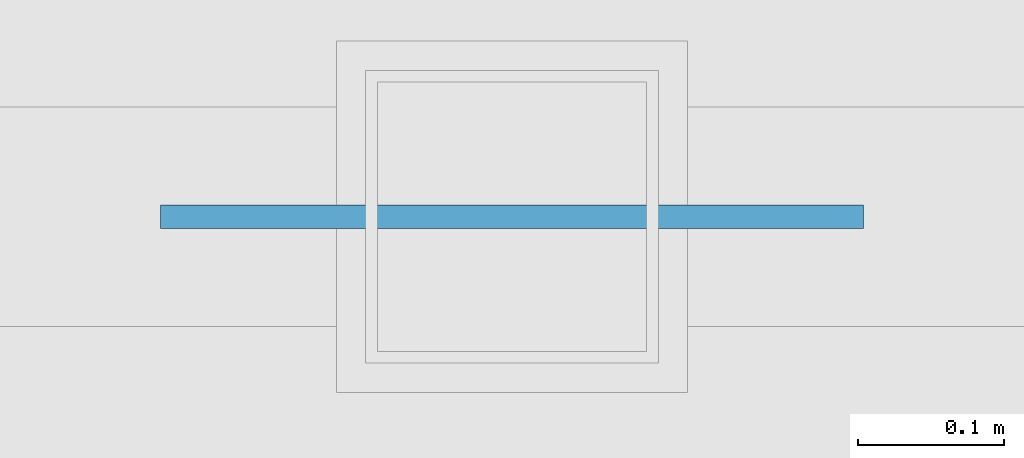
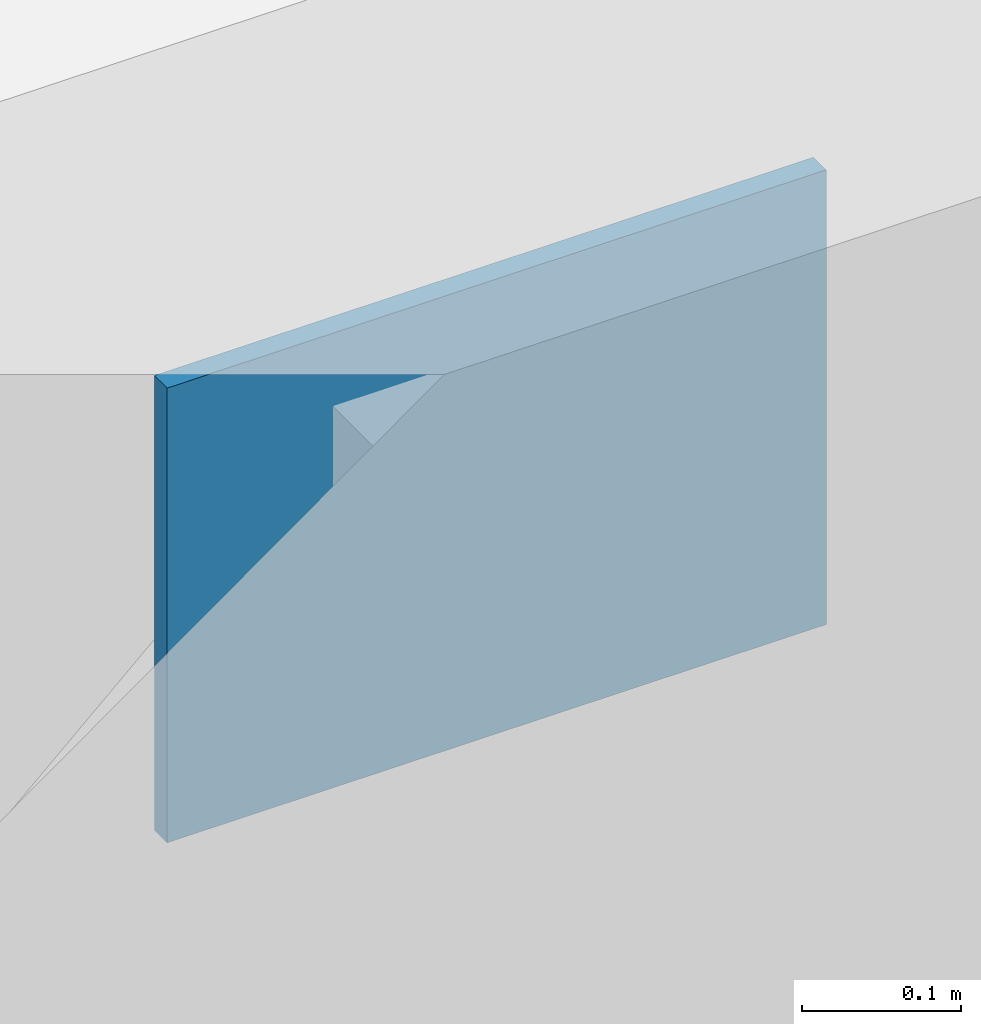
# One storey, part 159 of 195: 1 plate.
"""IFC4 building model written with IfcOpenShell, lengths in metres."""

import ifcopenshell
import ifcopenshell.guid

model = None  # the IFC model being written
_history = None  # IfcOwnerHistory: only IFC2X3 demands one
_inside = {}  # id of a spatial element -> (the spatial element, [elements in it])
_under = {}  # id of a project, library or spatial element -> (it, [spatial elements below it])
_declared = {}  # id of a project -> (the project, [libraries it declares])
_typed = {}  # id of a type object -> (the type object, [elements of that type])
_made_of = {}  # id of a material, layer set ... -> (it, [elements and type objects made of it])


def new_model(schema):
    """Start an empty IFC model of exactly this schema.

    Asked for "IFC4X3", IfcOpenShell would pick the latest addendum, in which some entities
    have other attributes; the version numbers below select the first issue.
    IFC2X3 requires an IfcOwnerHistory on every rooted entity: one is made here for all.
    """
    global model, _history
    if schema == "IFC4X3":
        model = ifcopenshell.file(schema_version=(4, 3, 0, 0))
    else:
        model = ifcopenshell.file(schema=schema)
    _inside.clear()
    _under.clear()
    _declared.clear()
    _typed.clear()
    _made_of.clear()
    _history = None
    if model.schema == "IFC2X3":
        org = make("IfcOrganization", Name="unknown")
        user = make(
            "IfcPersonAndOrganization",
            ThePerson=make("IfcPerson", FamilyName="unknown"),
            TheOrganization=org,
        )
        app = make(
            "IfcApplication",
            ApplicationDeveloper=org,
            Version="unknown",
            ApplicationFullName="unknown",
            ApplicationIdentifier="unknown",
        )
        _history = make(
            "IfcOwnerHistory",
            OwningUser=user,
            OwningApplication=app,
            ChangeAction="ADDED",
            CreationDate=0,
        )
    return model


def make(cls, **values):
    """One entity of the class cls with the attributes given. An attribute that is None is left unset."""
    return model.create_entity(
        cls, **{name: value for name, value in values.items() if value is not None}
    )


def rooted(cls, **values):
    """An entity with a GlobalId (a new one), such as an element, a storey or a relation."""
    return make(cls, GlobalId=ifcopenshell.guid.new(), OwnerHistory=_history, **values)


def si_unit(unit_type, name, prefix=None):
    """IfcSIUnit, for example si_unit("LENGTHUNIT", "METRE", prefix="MILLI")."""
    return make("IfcSIUnit", UnitType=unit_type, Prefix=prefix, Name=name)


def assignment(units):
    """IfcUnitAssignment: the units of a project."""
    return None if units is None else make("IfcUnitAssignment", Units=units)


def point(xyz):
    """IfcCartesianPoint."""
    return None if xyz is None else make("IfcCartesianPoint", Coordinates=xyz)


def direction(xyz):
    """IfcDirection."""
    return None if xyz is None else make("IfcDirection", DirectionRatios=xyz)


def frame(location, z_axis=None, x_axis=None):
    """IfcAxis2Placement3D, a coordinate frame: its origin and axes. An axis left out is left unset."""
    return make(
        "IfcAxis2Placement3D",
        Location=point(location),
        Axis=direction(z_axis),
        RefDirection=direction(x_axis),
    )


def frame_2d(location, x_axis=None):
    """IfcAxis2Placement2D, a coordinate frame in the plane: its origin and x axis."""
    return make(
        "IfcAxis2Placement2D", Location=point(location), RefDirection=direction(x_axis)
    )


def origin():
    """The frame at (0, 0, 0) with its axes left unset."""
    return frame((0.0, 0.0, 0.0))


def origin_2d():
    """The frame at (0, 0) in the plane with its x axis left unset."""
    return frame_2d((0.0, 0.0))


def place(relative_to, where):
    """IfcLocalPlacement: puts the frame where relative to a parent placement (None: the world)."""
    return make(
        "IfcLocalPlacement", PlacementRelTo=relative_to, RelativePlacement=where
    )


def context(
    kind, dimensions, precision=None, world=None, true_north=None, identifier=None
):
    """IfcGeometricRepresentationContext, for example the 3D "Model" context."""
    return make(
        "IfcGeometricRepresentationContext",
        ContextIdentifier=identifier,
        ContextType=kind,
        CoordinateSpaceDimension=dimensions,
        Precision=precision,
        WorldCoordinateSystem=world,
        TrueNorth=true_north,
    )


def subcontext(parent, identifier, kind, view, scale=None):
    """IfcGeometricRepresentationSubContext, for example "Body" below "Model"."""
    return make(
        "IfcGeometricRepresentationSubContext",
        ContextIdentifier=identifier,
        ContextType=kind,
        ParentContext=parent,
        TargetScale=scale,
        TargetView=view,
    )


def project(units=None, contexts=None):
    """IfcProject with its units and contexts."""
    return rooted(
        "IfcProject",
        Name="project",
        RepresentationContexts=contexts,
        UnitsInContext=assignment(units),
    )


def spatial(cls, under=None, at=None, **own):
    """A site, building, storey or space (cls), placed at a placement, below another one or the project."""
    s = rooted(cls, ObjectPlacement=at, **own)
    if under is not None:
        _under.setdefault(under.id(), (under, []))[1].append(s)
    return s


def profile(cls, at=None, kind="AREA", **sizes):
    """A parametric profile (cls). Its sizes go by their IFC names, for example OverallWidth=200.0."""
    return make(cls, ProfileType=kind, Position=at, **sizes)


def rectangle(**sizes):
    """IfcRectangleProfileDef."""
    return profile("IfcRectangleProfileDef", **sizes)


def extrude(swept, where, along, depth):
    """IfcExtrudedAreaSolid: the profile swept, set in the frame where, extruded along a direction by depth."""
    return make(
        "IfcExtrudedAreaSolid",
        SweptArea=swept,
        Position=where,
        ExtrudedDirection=direction(along),
        Depth=depth,
    )


def shape(context_of_items, identifier, shape_type, items):
    """IfcShapeRepresentation: the items that make up one representation, for example the "Body"."""
    return make(
        "IfcShapeRepresentation",
        ContextOfItems=context_of_items,
        RepresentationIdentifier=identifier,
        RepresentationType=shape_type,
        Items=items,
    )


def material(Name=None, Category=None):
    """IfcMaterial."""
    return make("IfcMaterial", Name=Name, Category=Category)


def made_of(thing, what):
    """Note that an element or type object is made of a material, layer set ...; save() writes the relation."""
    if what is not None:
        _made_of.setdefault(what.id(), (what, []))[1].append(thing)
    return thing


def type_object(cls, material=None, **own):
    """A type object (cls), such as IfcWallType, which elements share."""
    return made_of(rooted(cls, **own), material)


def element(
    cls,
    number,
    at=None,
    inside=None,
    cuts=None,
    type_object=None,
    material=None,
    context=None,
    identifier="Body",
    shape_type=None,
    held_by="IfcProductDefinitionShape",
    body=None,
    shapes=None,
    **own,
):
    """One element of the class cls, such as IfcWall. Its Tag is "e" and its number.

    at: its placement. inside: the storey or other place that contains it. cuts: it is an
    opening in that element (IfcRelVoidsElement). A single representation is given by context,
    identifier, shape_type and body (its items); several are given by shapes. held_by: the class
    of the entity that holds the representations. save() writes the other relations.
    """
    e = rooted(cls, Tag="e%d" % number, ObjectPlacement=at, **own)
    if body is not None:
        shapes = [shape(context, identifier, shape_type, body)]
    if shapes is not None:
        e.Representation = make(held_by, Representations=shapes)
    if inside is not None:
        _inside.setdefault(inside.id(), (inside, []))[1].append(e)
    if cuts is not None:
        rooted(
            "IfcRelVoidsElement", RelatingBuildingElement=cuts, RelatedOpeningElement=e
        )
    if type_object is not None:
        _typed.setdefault(type_object.id(), (type_object, []))[1].append(e)
    return made_of(e, material)


def aggregate(whole, parts):
    """IfcRelAggregates: a whole, such as a stair, and the parts it consists of."""
    return rooted("IfcRelAggregates", RelatingObject=whole, RelatedObjects=parts)


def save(model, path):
    """Write the relations noted so far, then the file.

    IfcRelAggregates (storeys below a building ...), IfcRelContainedInSpatialStructure (elements
    in a storey), IfcRelDefinesByType, IfcRelAssociatesMaterial and IfcRelDeclares: one each for
    every whole, place, type object, material and project.
    """
    for whole, parts in _under.values():
        aggregate(whole, parts)
    for where, things in _inside.values():
        rooted(
            "IfcRelContainedInSpatialStructure",
            RelatedElements=things,
            RelatingStructure=where,
        )
    for kind, things in _typed.values():
        rooted("IfcRelDefinesByType", RelatedObjects=things, RelatingType=kind)
    for what, things in _made_of.values():
        rooted("IfcRelAssociatesMaterial", RelatedObjects=things, RelatingMaterial=what)
    for by, libraries in _declared.values():
        rooted("IfcRelDeclares", RelatingContext=by, RelatedDefinitions=libraries)
    model.write(path)


model = new_model("IFC4")

# Units and contexts
model_context = context("Model", 3, precision=1e-05, world=origin(), true_north=direction((0.0, 1.0)))
body_context = subcontext(model_context, "Body", "Model", "MODEL_VIEW")
ifc_project = project(units=[si_unit("LENGTHUNIT", "METRE"), si_unit("AREAUNIT", "SQUARE_METRE"), si_unit("VOLUMEUNIT", "CUBIC_METRE"), si_unit("PLANEANGLEUNIT", "RADIAN"), si_unit("MASSUNIT", "GRAM", prefix="KILO")], contexts=[model_context])

# Site, building, storey
site_placement = place(None, origin())
site = spatial("IfcSite", under=ifc_project, at=site_placement, CompositionType="ELEMENT")
building_placement = place(site_placement, origin())
building = spatial("IfcBuilding", under=site, at=building_placement, Name="Kharva Crest Polytechnic", CompositionType="ELEMENT")
storey_placement = place(building_placement, frame((0.0, 0.0, 9.0)))
storey = spatial("IfcBuildingStorey", under=building, at=storey_placement, Name="L02", CompositionType="ELEMENT", Elevation=9.0)

# Plate
ifc_material = material(Name="Steel S355", Category="steel")
plate_type = type_object("IfcPlateType", Name="PLT-GUS-480X350X16", PredefinedType="USERDEFINED", material=ifc_material)
plate_placement = place(storey_placement, frame((44.0, 62.800048828125, 3.474853515625), z_axis=(0.0, 0.0, 1.0), x_axis=(1.0, 0.0, 0.0)))
element("IfcPlate", 1, at=plate_placement, inside=storey, type_object=plate_type, Name="L02 Braced Frame Gusset Plate 3", ObjectType="GUSSET PLATE", PredefinedType="USERDEFINED", context=body_context, shape_type="SweptSolid", body=[
    extrude(rectangle(XDim=0.47998046875, YDim=0.01611328125, at=origin_2d()), origin(), (0.0, 0.0, 1.0), 0.35009765625),
])

save(model, "model.ifc")
